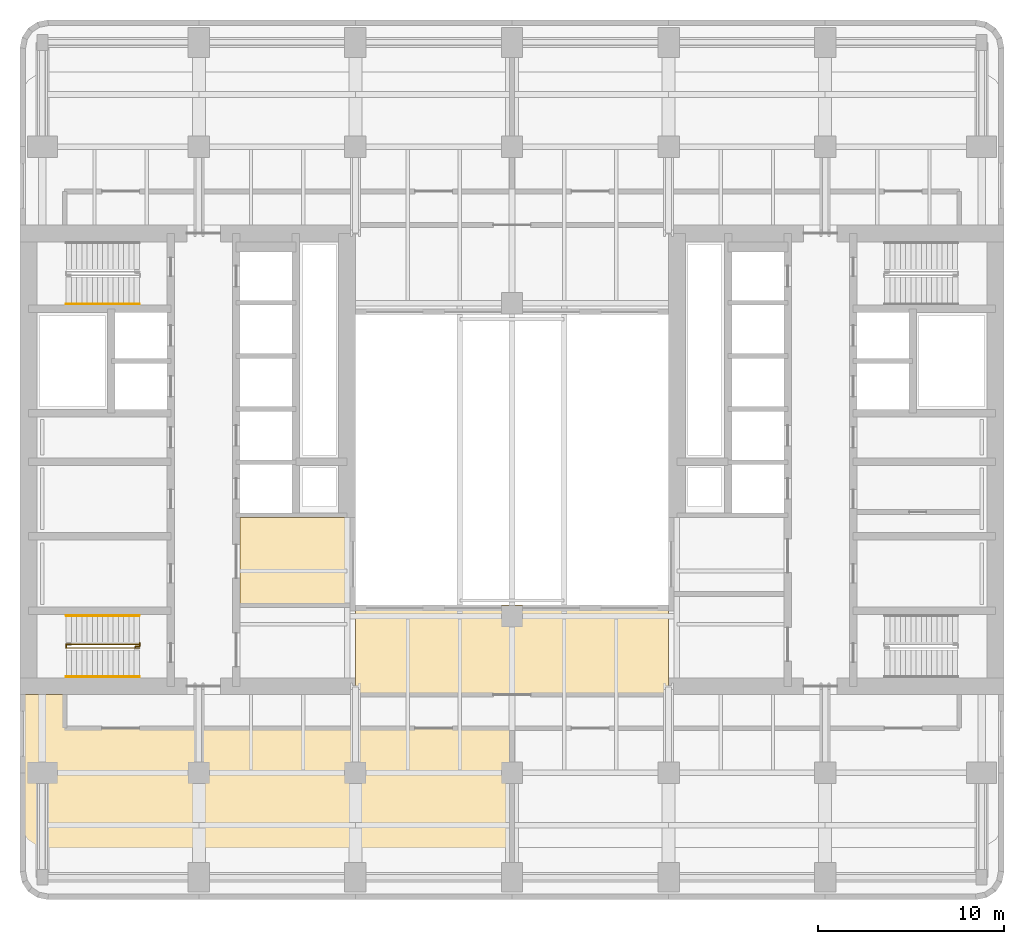
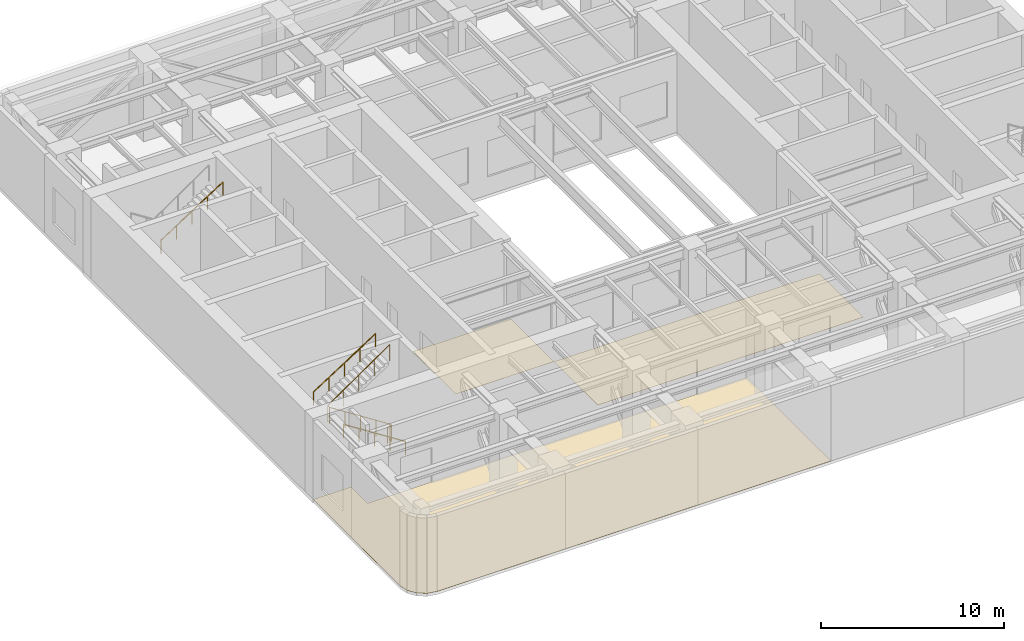
# One storey, part 8 of 10: 5 railings, 3 coverings.
"""IFC4 building model written with IfcOpenShell, lengths in metres."""

from ifc_helpers import new_model, si_unit, direction, frame, origin, origin_2d, place, context, subcontext, project, spatial, polyline, circle, outline, extrude, material, layer, layer_set, type_object, element, save


model = new_model("IFC4")

# Units and contexts
model_context = context("Model", 3, precision=1e-05, world=origin(), true_north=direction((0.0, 1.0)))
body_context = subcontext(model_context, "Body", "Model", "MODEL_VIEW")
ifc_project = project(units=[si_unit("LENGTHUNIT", "METRE"), si_unit("AREAUNIT", "SQUARE_METRE"), si_unit("VOLUMEUNIT", "CUBIC_METRE"), si_unit("PLANEANGLEUNIT", "RADIAN"), si_unit("MASSUNIT", "GRAM", prefix="KILO")], contexts=[model_context])

# Site, building, storey
site_placement = place(None, origin())
site = spatial("IfcSite", under=ifc_project, at=site_placement, CompositionType="ELEMENT")
building_placement = place(site_placement, origin())
building = spatial("IfcBuilding", under=site, at=building_placement, Name="Claustro Exchange Tower", CompositionType="ELEMENT")
storey_placement = place(building_placement, frame((0.0, 0.0, 168.0)))
storey = spatial("IfcBuildingStorey", under=building, at=storey_placement, Name="L38", CompositionType="ELEMENT", Elevation=168.0)

# Coverings
ifc_material_1 = material(Name="Epoxy resin floor finish", Category="resin")
ifc_layer = layer(ifc_material_1, 0.006103515625)
ifc_layer_set = layer_set([ifc_layer], Name="Epoxy resin floor finish")
covering_type = type_object("IfcCoveringType", Name="FL2 resin plant room floor", PredefinedType="FLOORING", material=ifc_layer_set)
covering_1_placement = place(storey_placement, origin())
element("IfcCovering", 1, at=covering_1_placement, inside=storey, type_object=covering_type, Name="Resin floor FL2 L38-01", PredefinedType="FLOORING", context=body_context, shape_type="SweptSolid", body=[
    extrude(outline(polyline([(-1.085693359375, 2.52587890625), (-0.7607421875, 2.039306640625), (-0.27392578125, 1.714111328125), (0.300048828125, 1.60009765625), (25.199951171875, 1.60009765625), (25.199951171875, 10.800048828125), (1.199951171875, 10.800048828125), (1.199951171875, 12.60009765625), (-1.199951171875, 12.60009765625), (-1.199951171875, 3.10009765625), (-1.085693359375, 2.52587890625)])), origin(), (0.0, 0.0, 1.0), 0.006103515625),
])
covering_2_placement = place(storey_placement, origin())
element("IfcCovering", 2, at=covering_2_placement, inside=storey, type_object=covering_type, Name="Resin floor FL2 L38-04", PredefinedType="FLOORING", context=body_context, shape_type="SweptSolid", body=[
    extrude(outline(polyline([(33.60009765625, 17.39990234375), (16.800048828125, 17.39990234375), (16.800048828125, 12.60009765625), (33.60009765625, 12.60009765625), (33.60009765625, 17.39990234375)])), origin(), (0.0, 0.0, 1.0), 0.006103515625),
])
covering_3_placement = place(storey_placement, origin())
element("IfcCovering", 3, at=covering_3_placement, inside=storey, type_object=covering_type, Name="Resin floor FL2 L38-06", PredefinedType="FLOORING", context=body_context, shape_type="SweptSolid", body=[
    extrude(outline(polyline([(16.800048828125, 17.39990234375), (16.800048828125, 22.10009765625), (10.60009765625, 22.10009765625), (10.60009765625, 17.39990234375), (16.800048828125, 17.39990234375)])), origin(), (0.0, 0.0, 1.0), 0.006103515625),
])

# Railings
ifc_material_2 = material(Name="Steel balustrade, painted", Category="steel")
railing_type_1 = type_object("IfcRailingType", Name="GR2 1100 steel stair guard", PredefinedType="GUARDRAIL", material=ifc_material_2)
railing_1_placement = place(storey_placement, frame((5.199951171875, 15.10009765625, 0.179931640625)))
element("IfcRailing", 4, at=railing_1_placement, inside=storey, type_object=railing_type_1, Name="Stair well guard GR2 stair STWA L38", PredefinedType="GUARDRAIL", context=body_context, shape_type="SweptSolid", body=[
    extrude(circle(Radius=0.02392578125, at=origin_2d()), frame((0.0, 0.0, 1.076171875), z_axis=(-0.841171666519, 0.0, 0.540768182723), x_axis=(0.0, -1.0, 0.0)), (0.0, 0.0, 1.0), 4.66015625),
    extrude(circle(Radius=0.02392578125, at=origin_2d()), frame((-3.919921875, 0.0, 3.59619140625), z_axis=(0.0, 1.0, 0.0), x_axis=(-1.0, 0.0, 0.0)), (0.0, 0.0, 1.0), 0.199951171875),
    extrude(circle(Radius=0.02392578125, at=origin_2d()), frame((-3.919921875, 0.199951171875, 3.59619140625), z_axis=(0.823550731654, 0.0, 0.567242622158), x_axis=(0.0, 1.0, 0.0)), (0.0, 0.0, 1.0), 4.759765625),
    extrude(circle(Radius=0.02099609375, at=origin_2d()), origin(), (0.0, 0.0, 1.0), 1.052001953125),
    extrude(circle(Radius=0.02099609375, at=origin_2d()), frame((-0.97998046875, 0.0, 0.6298828125)), (0.0, 0.0, 1.0), 1.052001953125),
    extrude(circle(Radius=0.02099609375, at=origin_2d()), frame((-1.9599609375, 0.0, 1.260009765625)), (0.0, 0.0, 1.0), 1.052001953125),
    extrude(circle(Radius=0.02099609375, at=origin_2d()), frame((-2.93994140625, 0.0, 1.89013671875)), (0.0, 0.0, 1.0), 1.052001953125),
    extrude(circle(Radius=0.02099609375, at=origin_2d()), frame((-3.919921875, 0.0, 2.52001953125)), (0.0, 0.0, 1.0), 1.052001953125),
    extrude(circle(Radius=0.02099609375, at=origin_2d()), frame((-3.919921875, 0.199951171875, 2.52001953125)), (0.0, 0.0, 1.0), 1.052001953125),
    extrude(circle(Radius=0.02099609375, at=origin_2d()), frame((-2.93994140625, 0.199951171875, 3.195068359375)), (0.0, 0.0, 1.0), 1.052001953125),
    extrude(circle(Radius=0.02099609375, at=origin_2d()), frame((-1.9599609375, 0.199951171875, 3.8701171875)), (0.0, 0.0, 1.0), 1.052001953125),
    extrude(circle(Radius=0.02099609375, at=origin_2d()), frame((-0.97998046875, 0.199951171875, 4.544921875)), (0.0, 0.0, 1.0), 1.052001953125),
    extrude(circle(Radius=0.02099609375, at=origin_2d()), frame((0.0, 0.199951171875, 5.219970703125)), (0.0, 0.0, 1.0), 1.052001953125),
])
railing_2_placement = place(storey_placement, frame((5.0, 15.169921875, 0.0)))
element("IfcRailing", 5, at=railing_2_placement, inside=storey, type_object=railing_type_1, Name="Stair guard GR2 STWA L38", PredefinedType="GUARDRAIL", context=body_context, shape_type="SweptSolid", body=[
    extrude(circle(Radius=0.02392578125, at=origin_2d()), frame((0.0, 0.0, 1.076171875), z_axis=(0.0, 1.0, 0.0), x_axis=(-1.0, 0.0, 0.0)), (0.0, 0.0, 1.0), 0.030029296875),
    extrude(circle(Radius=0.02392578125, at=origin_2d()), frame((0.0, 0.030029296875, 1.076171875), z_axis=(1.0, 0.0, 0.0), x_axis=(0.0, 1.0, 0.0)), (0.0, 0.0, 1.0), 0.22509765625),
    extrude(circle(Radius=0.02392578125, at=origin_2d()), frame((0.22509765625, 0.030029296875, 1.076171875), z_axis=(0.0, 1.0, 0.0), x_axis=(-1.0, 0.0, 0.0)), (0.0, 0.0, 1.0), 0.179931640625),
    extrude(circle(Radius=0.02099609375, at=origin_2d()), origin(), (0.0, 0.0, 1.0), 1.052001953125),
    extrude(circle(Radius=0.02099609375, at=origin_2d()), frame((0.0, 0.030029296875, 0.0)), (0.0, 0.0, 1.0), 1.052001953125),
    extrude(circle(Radius=0.02099609375, at=origin_2d()), frame((0.22509765625, 0.030029296875, 0.0)), (0.0, 0.0, 1.0), 1.052001953125),
    extrude(circle(Radius=0.02099609375, at=origin_2d()), frame((0.22509765625, 0.2099609375, 0.0)), (0.0, 0.0, 1.0), 1.052001953125),
])
ifc_material_3 = material(Name="Stainless steel tube", Category="steel")
railing_type_2 = type_object("IfcRailingType", Name="HR1 900 stair handrail", PredefinedType="HANDRAIL", material=ifc_material_3)
railing_3_placement = place(storey_placement, frame((5.199951171875, 13.56005859375, 0.179931640625)))
element("IfcRailing", 6, at=railing_3_placement, inside=storey, type_object=railing_type_2, Name="Handrail HR1 stair STWA L38", PredefinedType="HANDRAIL", context=body_context, shape_type="SweptSolid", body=[
    extrude(circle(Radius=0.02392578125, at=origin_2d()), frame((0.0, 0.0, 0.8759765625), z_axis=(-0.841171666519, 0.0, 0.540768182723), x_axis=(0.0, -1.0, 0.0)), (0.0, 0.0, 1.0), 4.66015625),
    extrude(circle(Radius=0.02099609375, at=origin_2d()), origin(), (0.0, 0.0, 1.0), 0.851806640625),
    extrude(circle(Radius=0.02099609375, at=origin_2d()), frame((-0.97998046875, 0.0, 0.6298828125)), (0.0, 0.0, 1.0), 0.851806640625),
    extrude(circle(Radius=0.02099609375, at=origin_2d()), frame((-1.9599609375, 0.0, 1.260009765625)), (0.0, 0.0, 1.0), 0.851806640625),
    extrude(circle(Radius=0.02099609375, at=origin_2d()), frame((-2.93994140625, 0.0, 1.89013671875)), (0.0, 0.0, 1.0), 0.851806640625),
    extrude(circle(Radius=0.02099609375, at=origin_2d()), frame((-3.919921875, 0.0, 2.52001953125)), (0.0, 0.0, 1.0), 0.851806640625),
])
for number, where, name in (
    (7, (1.280029296875, 16.840087890625, 2.8798828125), "Handrail HR1 stair STWA L38"),
    (8, (1.280029296875, 33.56005859375, 2.8798828125), "Handrail HR1 stair STWB L38"),
):
    element("IfcRailing", number, at=place(storey_placement, frame(where)), inside=storey, type_object=railing_type_2, Name=name, PredefinedType="HANDRAIL", context=body_context, shape_type="SweptSolid", body=[
        extrude(circle(Radius=0.02392578125, at=origin_2d()), frame((0.0, 0.0, 0.8759765625), z_axis=(0.841171666519, 0.0, 0.540768182723), x_axis=(0.0, 1.0, 0.0)), (0.0, 0.0, 1.0), 4.66015625),
        extrude(circle(Radius=0.02099609375, at=origin_2d()), origin(), (0.0, 0.0, 1.0), 0.851806640625),
        extrude(circle(Radius=0.02099609375, at=origin_2d()), frame((0.97998046875, 0.0, 0.6298828125)), (0.0, 0.0, 1.0), 0.851806640625),
        extrude(circle(Radius=0.02099609375, at=origin_2d()), frame((1.9599609375, 0.0, 1.260009765625)), (0.0, 0.0, 1.0), 0.851806640625),
        extrude(circle(Radius=0.02099609375, at=origin_2d()), frame((2.93994140625, 0.0, 1.89013671875)), (0.0, 0.0, 1.0), 0.851806640625),
        extrude(circle(Radius=0.02099609375, at=origin_2d()), frame((3.919921875, 0.0, 2.52001953125)), (0.0, 0.0, 1.0), 0.851806640625),
    ])

save(model, "model.ifc")
